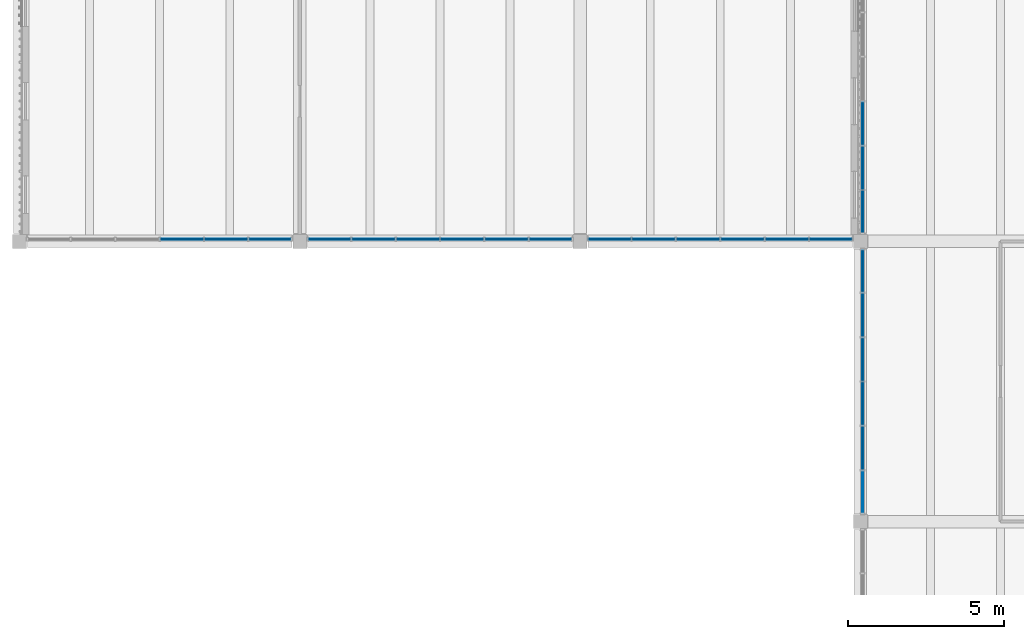
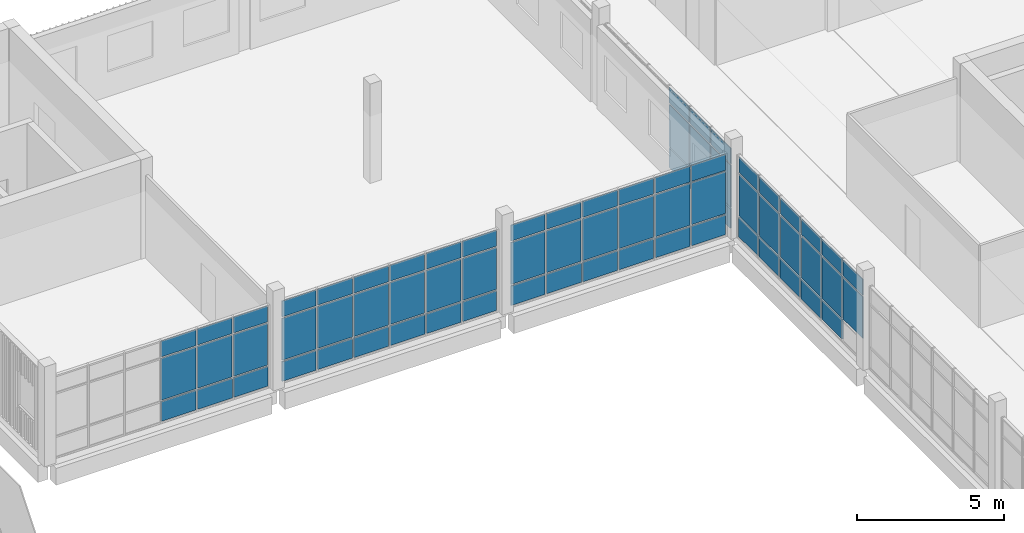
# One storey, part 45 of 88: 71 plates, 5 elements without a shape of their own.
"""IFC4 building model written with IfcOpenShell, lengths in metres."""

from ifc_helpers import new_model, si_unit, direction, frame, origin, origin_2d, place, context, subcontext, project, spatial, rectangle, extrude, material, layer, layer_set, type_object, element, aggregate, save


model = new_model("IFC4")

# Units and contexts
model_context = context("Model", 3, precision=1e-05, world=origin(), true_north=direction((0.0, 1.0)))
body_context = subcontext(model_context, "Body", "Model", "MODEL_VIEW")
ifc_project = project(units=[si_unit("LENGTHUNIT", "METRE"), si_unit("AREAUNIT", "SQUARE_METRE"), si_unit("VOLUMEUNIT", "CUBIC_METRE"), si_unit("PLANEANGLEUNIT", "RADIAN"), si_unit("MASSUNIT", "GRAM", prefix="KILO")], contexts=[model_context])

# Site, building, storey
site_placement = place(None, origin())
site = spatial("IfcSite", under=ifc_project, at=site_placement, CompositionType="ELEMENT")
building_placement = place(site_placement, origin())
building = spatial("IfcBuilding", under=site, at=building_placement, Name="Merrow Basin Faculty of Sciences", CompositionType="ELEMENT")
storey_placement = place(building_placement, frame((0.0, 0.0, 9.0)))
storey = spatial("IfcBuildingStorey", under=building, at=storey_placement, Name="L02", CompositionType="ELEMENT", Elevation=9.0)

# Curtain wall, plates
ifc_material_1 = material(Name="Aluminium alloy 6063", Category="aluminium")
curtain_wall_type = type_object("IfcCurtainWallType", Name="Court curtain wall 140", PredefinedType="NOTDEFINED", material=ifc_material_1)
curtain_wall_1_placement = place(storey_placement, origin())
curtain_wall_1 = element("IfcCurtainWall", 1, at=curtain_wall_1_placement, inside=storey, type_object=curtain_wall_type, Name="Court curtain wall L02 6", PredefinedType="NOTDEFINED")
ifc_material_2 = material(Name="Insulated aluminium spandrel panel", Category="aluminium")
ifc_layer_1 = layer(ifc_material_2, 0.052001953125)
ifc_layer_set_1 = layer_set([ifc_layer_1], Name="Insulated spandrel panel 52")
plate_type_1 = type_object("IfcPlateType", Name="Insulated spandrel panel 52", PredefinedType="CURTAIN_PANEL", material=ifc_layer_set_1)
plate_1_placement = place(storey_placement, frame((54.070068359375, 108.362548828125, 0.06005859375), z_axis=(0.0, 0.0, 1.0), x_axis=(0.0, 1.0, 0.0)))
plate_1 = element("IfcPlate", 2, at=plate_1_placement, type_object=plate_type_1, Name="CW8 panel 2.1", PredefinedType="CURTAIN_PANEL", context=body_context, shape_type="SweptSolid", body=[
    extrude(rectangle(XDim=1.364990234375, YDim=0.052001953125, at=origin_2d()), origin(), (0.0, 0.0, 1.0), 0.81005859375),
])
plate_2_placement = place(storey_placement, frame((54.070068359375, 109.78759765625, 0.06005859375), z_axis=(0.0, 0.0, 1.0), x_axis=(0.0, 1.0, 0.0)))
plate_2 = element("IfcPlate", 3, at=plate_2_placement, type_object=plate_type_1, Name="CW8 panel 3.1", PredefinedType="CURTAIN_PANEL", context=body_context, shape_type="SweptSolid", body=[
    extrude(rectangle(XDim=1.364990234375, YDim=0.052001953125, at=origin_2d()), origin(), (0.0, 0.0, 1.0), 0.81005859375),
])
plate_3_placement = place(storey_placement, frame((54.070068359375, 111.21240234375, 0.06005859375), z_axis=(0.0, 0.0, 1.0), x_axis=(0.0, 1.0, 0.0)))
plate_3 = element("IfcPlate", 4, at=plate_3_placement, type_object=plate_type_1, Name="CW8 panel 4.1", PredefinedType="CURTAIN_PANEL", context=body_context, shape_type="SweptSolid", body=[
    extrude(rectangle(XDim=1.364990234375, YDim=0.052001953125, at=origin_2d()), origin(), (0.0, 0.0, 1.0), 0.81005859375),
])
plate_4_placement = place(storey_placement, frame((54.070068359375, 112.637451171875, 0.06005859375), z_axis=(0.0, 0.0, 1.0), x_axis=(0.0, 1.0, 0.0)))
plate_4 = element("IfcPlate", 5, at=plate_4_placement, type_object=plate_type_1, Name="CW8 panel 5.1", PredefinedType="CURTAIN_PANEL", context=body_context, shape_type="SweptSolid", body=[
    extrude(rectangle(XDim=1.364990234375, YDim=0.052001953125, at=origin_2d()), origin(), (0.0, 0.0, 1.0), 0.81005859375),
])
plate_5_placement = place(storey_placement, frame((54.070068359375, 114.047607421875, 0.06005859375), z_axis=(0.0, 0.0, 1.0), x_axis=(0.0, 1.0, 0.0)))
plate_5 = element("IfcPlate", 6, at=plate_5_placement, type_object=plate_type_1, Name="CW8 panel 6.1", PredefinedType="CURTAIN_PANEL", context=body_context, shape_type="SweptSolid", body=[
    extrude(rectangle(XDim=1.3349609375, YDim=0.052001953125, at=origin_2d()), origin(), (0.0, 0.0, 1.0), 0.81005859375),
])

curtain_wall_2_placement = place(storey_placement, origin())
curtain_wall_2 = element("IfcCurtainWall", 7, at=curtain_wall_2_placement, inside=storey, type_object=curtain_wall_type, Name="Court curtain wall L02 7", PredefinedType="NOTDEFINED")
plate_6_placement = place(storey_placement, frame((54.070068359375, 115.952392578125, 0.06005859375), z_axis=(0.0, 0.0, 1.0), x_axis=(0.0, 1.0, 0.0)))
plate_6 = element("IfcPlate", 8, at=plate_6_placement, type_object=plate_type_1, Name="CW8 panel 1.1", PredefinedType="CURTAIN_PANEL", context=body_context, shape_type="SweptSolid", body=[
    extrude(rectangle(XDim=1.3349609375, YDim=0.052001953125, at=origin_2d()), origin(), (0.0, 0.0, 1.0), 0.81005859375),
])
plate_7_placement = place(storey_placement, frame((54.070068359375, 117.362548828125, 0.06005859375), z_axis=(0.0, 0.0, 1.0), x_axis=(0.0, 1.0, 0.0)))
plate_7 = element("IfcPlate", 9, at=plate_7_placement, type_object=plate_type_1, Name="CW8 panel 2.1", PredefinedType="CURTAIN_PANEL", context=body_context, shape_type="SweptSolid", body=[
    extrude(rectangle(XDim=1.364990234375, YDim=0.052001953125, at=origin_2d()), origin(), (0.0, 0.0, 1.0), 0.81005859375),
])
plate_8_placement = place(storey_placement, frame((54.070068359375, 118.78759765625, 0.06005859375), z_axis=(0.0, 0.0, 1.0), x_axis=(0.0, 1.0, 0.0)))
plate_8 = element("IfcPlate", 10, at=plate_8_placement, type_object=plate_type_1, Name="CW8 panel 3.1", PredefinedType="CURTAIN_PANEL", context=body_context, shape_type="SweptSolid", body=[
    extrude(rectangle(XDim=1.364990234375, YDim=0.052001953125, at=origin_2d()), origin(), (0.0, 0.0, 1.0), 0.81005859375),
])

curtain_wall_3_placement = place(storey_placement, origin())
curtain_wall_3 = element("IfcCurtainWall", 11, at=curtain_wall_3_placement, inside=storey, type_object=curtain_wall_type, Name="Court curtain wall L02 1", PredefinedType="NOTDEFINED")
plate_9_placement = place(storey_placement, frame((32.21240234375, 115.070068359375, 0.06005859375), z_axis=(0.0, 0.0, 1.0), x_axis=(1.0, 0.0, 0.0)))
plate_9 = element("IfcPlate", 12, at=plate_9_placement, type_object=plate_type_1, Name="CW8 panel 4.1", PredefinedType="CURTAIN_PANEL", context=body_context, shape_type="SweptSolid", body=[
    extrude(rectangle(XDim=1.364990234375, YDim=0.052001953125, at=origin_2d()), origin(), (0.0, 0.0, 1.0), 0.81005859375),
])
plate_10_placement = place(storey_placement, frame((33.637451171875, 115.070068359375, 0.06005859375), z_axis=(0.0, 0.0, 1.0), x_axis=(1.0, 0.0, 0.0)))
plate_10 = element("IfcPlate", 13, at=plate_10_placement, type_object=plate_type_1, Name="CW8 panel 5.1", PredefinedType="CURTAIN_PANEL", context=body_context, shape_type="SweptSolid", body=[
    extrude(rectangle(XDim=1.364990234375, YDim=0.052001953125, at=origin_2d()), origin(), (0.0, 0.0, 1.0), 0.81005859375),
])
plate_11_placement = place(storey_placement, frame((35.047607421875, 115.070068359375, 0.06005859375), z_axis=(0.0, 0.0, 1.0), x_axis=(1.0, 0.0, 0.0)))
plate_11 = element("IfcPlate", 14, at=plate_11_placement, type_object=plate_type_1, Name="CW8 panel 6.1", PredefinedType="CURTAIN_PANEL", context=body_context, shape_type="SweptSolid", body=[
    extrude(rectangle(XDim=1.3349609375, YDim=0.052001953125, at=origin_2d()), origin(), (0.0, 0.0, 1.0), 0.81005859375),
])

curtain_wall_4_placement = place(storey_placement, origin())
curtain_wall_4 = element("IfcCurtainWall", 15, at=curtain_wall_4_placement, inside=storey, type_object=curtain_wall_type, Name="Court curtain wall L02 2", PredefinedType="NOTDEFINED")
plate_12_placement = place(storey_placement, frame((36.952392578125, 115.070068359375, 0.06005859375), z_axis=(0.0, 0.0, 1.0), x_axis=(1.0, 0.0, 0.0)))
plate_12 = element("IfcPlate", 16, at=plate_12_placement, type_object=plate_type_1, Name="CW8 panel 1.1", PredefinedType="CURTAIN_PANEL", context=body_context, shape_type="SweptSolid", body=[
    extrude(rectangle(XDim=1.3349609375, YDim=0.052001953125, at=origin_2d()), origin(), (0.0, 0.0, 1.0), 0.81005859375),
])
plate_13_placement = place(storey_placement, frame((38.362548828125, 115.070068359375, 0.06005859375), z_axis=(0.0, 0.0, 1.0), x_axis=(1.0, 0.0, 0.0)))
plate_13 = element("IfcPlate", 17, at=plate_13_placement, type_object=plate_type_1, Name="CW8 panel 2.1", PredefinedType="CURTAIN_PANEL", context=body_context, shape_type="SweptSolid", body=[
    extrude(rectangle(XDim=1.364990234375, YDim=0.052001953125, at=origin_2d()), origin(), (0.0, 0.0, 1.0), 0.81005859375),
])
plate_14_placement = place(storey_placement, frame((39.78759765625, 115.070068359375, 0.06005859375), z_axis=(0.0, 0.0, 1.0), x_axis=(1.0, 0.0, 0.0)))
plate_14 = element("IfcPlate", 18, at=plate_14_placement, type_object=plate_type_1, Name="CW8 panel 3.1", PredefinedType="CURTAIN_PANEL", context=body_context, shape_type="SweptSolid", body=[
    extrude(rectangle(XDim=1.364990234375, YDim=0.052001953125, at=origin_2d()), origin(), (0.0, 0.0, 1.0), 0.81005859375),
])
plate_15_placement = place(storey_placement, frame((41.21240234375, 115.070068359375, 0.06005859375), z_axis=(0.0, 0.0, 1.0), x_axis=(1.0, 0.0, 0.0)))
plate_15 = element("IfcPlate", 19, at=plate_15_placement, type_object=plate_type_1, Name="CW8 panel 4.1", PredefinedType="CURTAIN_PANEL", context=body_context, shape_type="SweptSolid", body=[
    extrude(rectangle(XDim=1.364990234375, YDim=0.052001953125, at=origin_2d()), origin(), (0.0, 0.0, 1.0), 0.81005859375),
])
plate_16_placement = place(storey_placement, frame((42.637451171875, 115.070068359375, 0.06005859375), z_axis=(0.0, 0.0, 1.0), x_axis=(1.0, 0.0, 0.0)))
plate_16 = element("IfcPlate", 20, at=plate_16_placement, type_object=plate_type_1, Name="CW8 panel 5.1", PredefinedType="CURTAIN_PANEL", context=body_context, shape_type="SweptSolid", body=[
    extrude(rectangle(XDim=1.364990234375, YDim=0.052001953125, at=origin_2d()), origin(), (0.0, 0.0, 1.0), 0.81005859375),
])
plate_17_placement = place(storey_placement, frame((44.047607421875, 115.070068359375, 0.06005859375), z_axis=(0.0, 0.0, 1.0), x_axis=(1.0, 0.0, 0.0)))
plate_17 = element("IfcPlate", 21, at=plate_17_placement, type_object=plate_type_1, Name="CW8 panel 6.1", PredefinedType="CURTAIN_PANEL", context=body_context, shape_type="SweptSolid", body=[
    extrude(rectangle(XDim=1.3349609375, YDim=0.052001953125, at=origin_2d()), origin(), (0.0, 0.0, 1.0), 0.81005859375),
])

curtain_wall_5_placement = place(storey_placement, origin())
curtain_wall_5 = element("IfcCurtainWall", 22, at=curtain_wall_5_placement, inside=storey, type_object=curtain_wall_type, Name="Court curtain wall L02 3", PredefinedType="NOTDEFINED")
plate_18_placement = place(storey_placement, frame((45.952392578125, 115.070068359375, 0.06005859375), z_axis=(0.0, 0.0, 1.0), x_axis=(1.0, 0.0, 0.0)))
plate_18 = element("IfcPlate", 23, at=plate_18_placement, type_object=plate_type_1, Name="CW8 panel 1.1", PredefinedType="CURTAIN_PANEL", context=body_context, shape_type="SweptSolid", body=[
    extrude(rectangle(XDim=1.3349609375, YDim=0.052001953125, at=origin_2d()), origin(), (0.0, 0.0, 1.0), 0.81005859375),
])
plate_19_placement = place(storey_placement, frame((47.362548828125, 115.070068359375, 0.06005859375), z_axis=(0.0, 0.0, 1.0), x_axis=(1.0, 0.0, 0.0)))
plate_19 = element("IfcPlate", 24, at=plate_19_placement, type_object=plate_type_1, Name="CW8 panel 2.1", PredefinedType="CURTAIN_PANEL", context=body_context, shape_type="SweptSolid", body=[
    extrude(rectangle(XDim=1.364990234375, YDim=0.052001953125, at=origin_2d()), origin(), (0.0, 0.0, 1.0), 0.81005859375),
])
plate_20_placement = place(storey_placement, frame((48.78759765625, 115.070068359375, 0.06005859375), z_axis=(0.0, 0.0, 1.0), x_axis=(1.0, 0.0, 0.0)))
plate_20 = element("IfcPlate", 25, at=plate_20_placement, type_object=plate_type_1, Name="CW8 panel 3.1", PredefinedType="CURTAIN_PANEL", context=body_context, shape_type="SweptSolid", body=[
    extrude(rectangle(XDim=1.364990234375, YDim=0.052001953125, at=origin_2d()), origin(), (0.0, 0.0, 1.0), 0.81005859375),
])
plate_21_placement = place(storey_placement, frame((50.21240234375, 115.070068359375, 0.06005859375), z_axis=(0.0, 0.0, 1.0), x_axis=(1.0, 0.0, 0.0)))
plate_21 = element("IfcPlate", 26, at=plate_21_placement, type_object=plate_type_1, Name="CW8 panel 4.1", PredefinedType="CURTAIN_PANEL", context=body_context, shape_type="SweptSolid", body=[
    extrude(rectangle(XDim=1.364990234375, YDim=0.052001953125, at=origin_2d()), origin(), (0.0, 0.0, 1.0), 0.81005859375),
])
plate_22_placement = place(storey_placement, frame((51.637451171875, 115.070068359375, 0.06005859375), z_axis=(0.0, 0.0, 1.0), x_axis=(1.0, 0.0, 0.0)))
plate_22 = element("IfcPlate", 27, at=plate_22_placement, type_object=plate_type_1, Name="CW8 panel 5.1", PredefinedType="CURTAIN_PANEL", context=body_context, shape_type="SweptSolid", body=[
    extrude(rectangle(XDim=1.364990234375, YDim=0.052001953125, at=origin_2d()), origin(), (0.0, 0.0, 1.0), 0.81005859375),
])
plate_23_placement = place(storey_placement, frame((53.047607421875, 115.070068359375, 0.06005859375), z_axis=(0.0, 0.0, 1.0), x_axis=(1.0, 0.0, 0.0)))
plate_23 = element("IfcPlate", 28, at=plate_23_placement, type_object=plate_type_1, Name="CW8 panel 6.1", PredefinedType="CURTAIN_PANEL", context=body_context, shape_type="SweptSolid", body=[
    extrude(rectangle(XDim=1.3349609375, YDim=0.052001953125, at=origin_2d()), origin(), (0.0, 0.0, 1.0), 0.81005859375),
])

# Plate
ifc_material_3 = material(Name="Low-E double glazing", Category="glass")
ifc_layer_2 = layer(ifc_material_3, 0.028076171875)
ifc_layer_set_2 = layer_set([ifc_layer_2], Name="Low-E double glazed panel 28")
plate_type_2 = type_object("IfcPlateType", Name="Low-E double glazed panel 28", PredefinedType="CURTAIN_PANEL", material=ifc_layer_set_2)
plate_24_placement = place(storey_placement, frame((54.070068359375, 106.952392578125, 0.93017578125), z_axis=(0.0, 0.0, 1.0), x_axis=(0.0, 1.0, 0.0)))
plate_24 = element("IfcPlate", 29, at=plate_24_placement, type_object=plate_type_2, Name="CW8 panel 1.2", PredefinedType="CURTAIN_PANEL", context=body_context, shape_type="SweptSolid", body=[
    extrude(rectangle(XDim=1.3349609375, YDim=0.028076171875, at=origin_2d()), origin(), (0.0, 0.0, 1.0), 1.739990234375),
])

plate_25_placement = place(storey_placement, frame((54.070068359375, 106.952392578125, 2.72998046875), z_axis=(0.0, 0.0, 1.0), x_axis=(0.0, 1.0, 0.0)))
plate_25 = element("IfcPlate", 30, at=plate_25_placement, type_object=plate_type_2, Name="CW8 panel 1.3", PredefinedType="CURTAIN_PANEL", context=body_context, shape_type="SweptSolid", body=[
    extrude(rectangle(XDim=1.3349609375, YDim=0.028076171875, at=origin_2d()), origin(), (0.0, 0.0, 1.0), 0.659912109375),
])

plate_26_placement = place(storey_placement, frame((54.070068359375, 108.362548828125, 0.93017578125), z_axis=(0.0, 0.0, 1.0), x_axis=(0.0, 1.0, 0.0)))
plate_26 = element("IfcPlate", 31, at=plate_26_placement, type_object=plate_type_2, Name="CW8 panel 2.2", PredefinedType="CURTAIN_PANEL", context=body_context, shape_type="SweptSolid", body=[
    extrude(rectangle(XDim=1.364990234375, YDim=0.028076171875, at=origin_2d()), origin(), (0.0, 0.0, 1.0), 1.739990234375),
])

plate_27_placement = place(storey_placement, frame((54.070068359375, 108.362548828125, 2.72998046875), z_axis=(0.0, 0.0, 1.0), x_axis=(0.0, 1.0, 0.0)))
plate_27 = element("IfcPlate", 32, at=plate_27_placement, type_object=plate_type_2, Name="CW8 panel 2.3", PredefinedType="CURTAIN_PANEL", context=body_context, shape_type="SweptSolid", body=[
    extrude(rectangle(XDim=1.364990234375, YDim=0.028076171875, at=origin_2d()), origin(), (0.0, 0.0, 1.0), 0.659912109375),
])

plate_28_placement = place(storey_placement, frame((54.070068359375, 109.78759765625, 0.93017578125), z_axis=(0.0, 0.0, 1.0), x_axis=(0.0, 1.0, 0.0)))
plate_28 = element("IfcPlate", 33, at=plate_28_placement, type_object=plate_type_2, Name="CW8 panel 3.2", PredefinedType="CURTAIN_PANEL", context=body_context, shape_type="SweptSolid", body=[
    extrude(rectangle(XDim=1.364990234375, YDim=0.028076171875, at=origin_2d()), origin(), (0.0, 0.0, 1.0), 1.739990234375),
])

plate_29_placement = place(storey_placement, frame((54.070068359375, 109.78759765625, 2.72998046875), z_axis=(0.0, 0.0, 1.0), x_axis=(0.0, 1.0, 0.0)))
plate_29 = element("IfcPlate", 34, at=plate_29_placement, type_object=plate_type_2, Name="CW8 panel 3.3", PredefinedType="CURTAIN_PANEL", context=body_context, shape_type="SweptSolid", body=[
    extrude(rectangle(XDim=1.364990234375, YDim=0.028076171875, at=origin_2d()), origin(), (0.0, 0.0, 1.0), 0.659912109375),
])

plate_30_placement = place(storey_placement, frame((54.070068359375, 111.21240234375, 0.93017578125), z_axis=(0.0, 0.0, 1.0), x_axis=(0.0, 1.0, 0.0)))
plate_30 = element("IfcPlate", 35, at=plate_30_placement, type_object=plate_type_2, Name="CW8 panel 4.2", PredefinedType="CURTAIN_PANEL", context=body_context, shape_type="SweptSolid", body=[
    extrude(rectangle(XDim=1.364990234375, YDim=0.028076171875, at=origin_2d()), origin(), (0.0, 0.0, 1.0), 1.739990234375),
])

plate_31_placement = place(storey_placement, frame((54.070068359375, 111.21240234375, 2.72998046875), z_axis=(0.0, 0.0, 1.0), x_axis=(0.0, 1.0, 0.0)))
plate_31 = element("IfcPlate", 36, at=plate_31_placement, type_object=plate_type_2, Name="CW8 panel 4.3", PredefinedType="CURTAIN_PANEL", context=body_context, shape_type="SweptSolid", body=[
    extrude(rectangle(XDim=1.364990234375, YDim=0.028076171875, at=origin_2d()), origin(), (0.0, 0.0, 1.0), 0.659912109375),
])

plate_32_placement = place(storey_placement, frame((54.070068359375, 112.637451171875, 0.93017578125), z_axis=(0.0, 0.0, 1.0), x_axis=(0.0, 1.0, 0.0)))
plate_32 = element("IfcPlate", 37, at=plate_32_placement, type_object=plate_type_2, Name="CW8 panel 5.2", PredefinedType="CURTAIN_PANEL", context=body_context, shape_type="SweptSolid", body=[
    extrude(rectangle(XDim=1.364990234375, YDim=0.028076171875, at=origin_2d()), origin(), (0.0, 0.0, 1.0), 1.739990234375),
])

plate_33_placement = place(storey_placement, frame((54.070068359375, 112.637451171875, 2.72998046875), z_axis=(0.0, 0.0, 1.0), x_axis=(0.0, 1.0, 0.0)))
plate_33 = element("IfcPlate", 38, at=plate_33_placement, type_object=plate_type_2, Name="CW8 panel 5.3", PredefinedType="CURTAIN_PANEL", context=body_context, shape_type="SweptSolid", body=[
    extrude(rectangle(XDim=1.364990234375, YDim=0.028076171875, at=origin_2d()), origin(), (0.0, 0.0, 1.0), 0.659912109375),
])

plate_34_placement = place(storey_placement, frame((54.070068359375, 114.047607421875, 0.93017578125), z_axis=(0.0, 0.0, 1.0), x_axis=(0.0, 1.0, 0.0)))
plate_34 = element("IfcPlate", 39, at=plate_34_placement, type_object=plate_type_2, Name="CW8 panel 6.2", PredefinedType="CURTAIN_PANEL", context=body_context, shape_type="SweptSolid", body=[
    extrude(rectangle(XDim=1.3349609375, YDim=0.028076171875, at=origin_2d()), origin(), (0.0, 0.0, 1.0), 1.739990234375),
])

plate_35_placement = place(storey_placement, frame((54.070068359375, 114.047607421875, 2.72998046875), z_axis=(0.0, 0.0, 1.0), x_axis=(0.0, 1.0, 0.0)))
plate_35 = element("IfcPlate", 40, at=plate_35_placement, type_object=plate_type_2, Name="CW8 panel 6.3", PredefinedType="CURTAIN_PANEL", context=body_context, shape_type="SweptSolid", body=[
    extrude(rectangle(XDim=1.3349609375, YDim=0.028076171875, at=origin_2d()), origin(), (0.0, 0.0, 1.0), 0.659912109375),
])

aggregate(curtain_wall_1, [plate_24, plate_25, plate_1, plate_26, plate_27, plate_2, plate_28, plate_29, plate_3, plate_30, plate_31, plate_4, plate_32, plate_33, plate_5, plate_34, plate_35])

plate_36_placement = place(storey_placement, frame((54.070068359375, 115.952392578125, 0.93017578125), z_axis=(0.0, 0.0, 1.0), x_axis=(0.0, 1.0, 0.0)))
plate_36 = element("IfcPlate", 41, at=plate_36_placement, type_object=plate_type_2, Name="CW8 panel 1.2", PredefinedType="CURTAIN_PANEL", context=body_context, shape_type="SweptSolid", body=[
    extrude(rectangle(XDim=1.3349609375, YDim=0.028076171875, at=origin_2d()), origin(), (0.0, 0.0, 1.0), 1.739990234375),
])

plate_37_placement = place(storey_placement, frame((54.070068359375, 115.952392578125, 2.72998046875), z_axis=(0.0, 0.0, 1.0), x_axis=(0.0, 1.0, 0.0)))
plate_37 = element("IfcPlate", 42, at=plate_37_placement, type_object=plate_type_2, Name="CW8 panel 1.3", PredefinedType="CURTAIN_PANEL", context=body_context, shape_type="SweptSolid", body=[
    extrude(rectangle(XDim=1.3349609375, YDim=0.028076171875, at=origin_2d()), origin(), (0.0, 0.0, 1.0), 0.659912109375),
])

plate_38_placement = place(storey_placement, frame((54.070068359375, 117.362548828125, 0.93017578125), z_axis=(0.0, 0.0, 1.0), x_axis=(0.0, 1.0, 0.0)))
plate_38 = element("IfcPlate", 43, at=plate_38_placement, type_object=plate_type_2, Name="CW8 panel 2.2", PredefinedType="CURTAIN_PANEL", context=body_context, shape_type="SweptSolid", body=[
    extrude(rectangle(XDim=1.364990234375, YDim=0.028076171875, at=origin_2d()), origin(), (0.0, 0.0, 1.0), 1.739990234375),
])

plate_39_placement = place(storey_placement, frame((54.070068359375, 117.362548828125, 2.72998046875), z_axis=(0.0, 0.0, 1.0), x_axis=(0.0, 1.0, 0.0)))
plate_39 = element("IfcPlate", 44, at=plate_39_placement, type_object=plate_type_2, Name="CW8 panel 2.3", PredefinedType="CURTAIN_PANEL", context=body_context, shape_type="SweptSolid", body=[
    extrude(rectangle(XDim=1.364990234375, YDim=0.028076171875, at=origin_2d()), origin(), (0.0, 0.0, 1.0), 0.659912109375),
])

plate_40_placement = place(storey_placement, frame((54.070068359375, 118.78759765625, 0.93017578125), z_axis=(0.0, 0.0, 1.0), x_axis=(0.0, 1.0, 0.0)))
plate_40 = element("IfcPlate", 45, at=plate_40_placement, type_object=plate_type_2, Name="CW8 panel 3.2", PredefinedType="CURTAIN_PANEL", context=body_context, shape_type="SweptSolid", body=[
    extrude(rectangle(XDim=1.364990234375, YDim=0.028076171875, at=origin_2d()), origin(), (0.0, 0.0, 1.0), 1.739990234375),
])

plate_41_placement = place(storey_placement, frame((54.070068359375, 118.78759765625, 2.72998046875), z_axis=(0.0, 0.0, 1.0), x_axis=(0.0, 1.0, 0.0)))
plate_41 = element("IfcPlate", 46, at=plate_41_placement, type_object=plate_type_2, Name="CW8 panel 3.3", PredefinedType="CURTAIN_PANEL", context=body_context, shape_type="SweptSolid", body=[
    extrude(rectangle(XDim=1.364990234375, YDim=0.028076171875, at=origin_2d()), origin(), (0.0, 0.0, 1.0), 0.659912109375),
])

aggregate(curtain_wall_2, [plate_6, plate_36, plate_37, plate_7, plate_38, plate_39, plate_8, plate_40, plate_41])

plate_42_placement = place(storey_placement, frame((32.21240234375, 115.070068359375, 0.93017578125), z_axis=(0.0, 0.0, 1.0), x_axis=(1.0, 0.0, 0.0)))
plate_42 = element("IfcPlate", 47, at=plate_42_placement, type_object=plate_type_2, Name="CW8 panel 4.2", PredefinedType="CURTAIN_PANEL", context=body_context, shape_type="SweptSolid", body=[
    extrude(rectangle(XDim=1.364990234375, YDim=0.028076171875, at=origin_2d()), origin(), (0.0, 0.0, 1.0), 1.739990234375),
])

plate_43_placement = place(storey_placement, frame((32.21240234375, 115.070068359375, 2.72998046875), z_axis=(0.0, 0.0, 1.0), x_axis=(1.0, 0.0, 0.0)))
plate_43 = element("IfcPlate", 48, at=plate_43_placement, type_object=plate_type_2, Name="CW8 panel 4.3", PredefinedType="CURTAIN_PANEL", context=body_context, shape_type="SweptSolid", body=[
    extrude(rectangle(XDim=1.364990234375, YDim=0.028076171875, at=origin_2d()), origin(), (0.0, 0.0, 1.0), 0.659912109375),
])

plate_44_placement = place(storey_placement, frame((33.637451171875, 115.070068359375, 0.93017578125), z_axis=(0.0, 0.0, 1.0), x_axis=(1.0, 0.0, 0.0)))
plate_44 = element("IfcPlate", 49, at=plate_44_placement, type_object=plate_type_2, Name="CW8 panel 5.2", PredefinedType="CURTAIN_PANEL", context=body_context, shape_type="SweptSolid", body=[
    extrude(rectangle(XDim=1.364990234375, YDim=0.028076171875, at=origin_2d()), origin(), (0.0, 0.0, 1.0), 1.739990234375),
])

plate_45_placement = place(storey_placement, frame((33.637451171875, 115.070068359375, 2.72998046875), z_axis=(0.0, 0.0, 1.0), x_axis=(1.0, 0.0, 0.0)))
plate_45 = element("IfcPlate", 50, at=plate_45_placement, type_object=plate_type_2, Name="CW8 panel 5.3", PredefinedType="CURTAIN_PANEL", context=body_context, shape_type="SweptSolid", body=[
    extrude(rectangle(XDim=1.364990234375, YDim=0.028076171875, at=origin_2d()), origin(), (0.0, 0.0, 1.0), 0.659912109375),
])

plate_46_placement = place(storey_placement, frame((35.047607421875, 115.070068359375, 0.93017578125), z_axis=(0.0, 0.0, 1.0), x_axis=(1.0, 0.0, 0.0)))
plate_46 = element("IfcPlate", 51, at=plate_46_placement, type_object=plate_type_2, Name="CW8 panel 6.2", PredefinedType="CURTAIN_PANEL", context=body_context, shape_type="SweptSolid", body=[
    extrude(rectangle(XDim=1.3349609375, YDim=0.028076171875, at=origin_2d()), origin(), (0.0, 0.0, 1.0), 1.739990234375),
])

plate_47_placement = place(storey_placement, frame((35.047607421875, 115.070068359375, 2.72998046875), z_axis=(0.0, 0.0, 1.0), x_axis=(1.0, 0.0, 0.0)))
plate_47 = element("IfcPlate", 52, at=plate_47_placement, type_object=plate_type_2, Name="CW8 panel 6.3", PredefinedType="CURTAIN_PANEL", context=body_context, shape_type="SweptSolid", body=[
    extrude(rectangle(XDim=1.3349609375, YDim=0.028076171875, at=origin_2d()), origin(), (0.0, 0.0, 1.0), 0.659912109375),
])

aggregate(curtain_wall_3, [plate_9, plate_42, plate_43, plate_10, plate_44, plate_45, plate_11, plate_46, plate_47])

plate_48_placement = place(storey_placement, frame((36.952392578125, 115.070068359375, 0.93017578125), z_axis=(0.0, 0.0, 1.0), x_axis=(1.0, 0.0, 0.0)))
plate_48 = element("IfcPlate", 53, at=plate_48_placement, type_object=plate_type_2, Name="CW8 panel 1.2", PredefinedType="CURTAIN_PANEL", context=body_context, shape_type="SweptSolid", body=[
    extrude(rectangle(XDim=1.3349609375, YDim=0.028076171875, at=origin_2d()), origin(), (0.0, 0.0, 1.0), 1.739990234375),
])

plate_49_placement = place(storey_placement, frame((36.952392578125, 115.070068359375, 2.72998046875), z_axis=(0.0, 0.0, 1.0), x_axis=(1.0, 0.0, 0.0)))
plate_49 = element("IfcPlate", 54, at=plate_49_placement, type_object=plate_type_2, Name="CW8 panel 1.3", PredefinedType="CURTAIN_PANEL", context=body_context, shape_type="SweptSolid", body=[
    extrude(rectangle(XDim=1.3349609375, YDim=0.028076171875, at=origin_2d()), origin(), (0.0, 0.0, 1.0), 0.659912109375),
])

plate_50_placement = place(storey_placement, frame((38.362548828125, 115.070068359375, 0.93017578125), z_axis=(0.0, 0.0, 1.0), x_axis=(1.0, 0.0, 0.0)))
plate_50 = element("IfcPlate", 55, at=plate_50_placement, type_object=plate_type_2, Name="CW8 panel 2.2", PredefinedType="CURTAIN_PANEL", context=body_context, shape_type="SweptSolid", body=[
    extrude(rectangle(XDim=1.364990234375, YDim=0.028076171875, at=origin_2d()), origin(), (0.0, 0.0, 1.0), 1.739990234375),
])

plate_51_placement = place(storey_placement, frame((38.362548828125, 115.070068359375, 2.72998046875), z_axis=(0.0, 0.0, 1.0), x_axis=(1.0, 0.0, 0.0)))
plate_51 = element("IfcPlate", 56, at=plate_51_placement, type_object=plate_type_2, Name="CW8 panel 2.3", PredefinedType="CURTAIN_PANEL", context=body_context, shape_type="SweptSolid", body=[
    extrude(rectangle(XDim=1.364990234375, YDim=0.028076171875, at=origin_2d()), origin(), (0.0, 0.0, 1.0), 0.659912109375),
])

plate_52_placement = place(storey_placement, frame((39.78759765625, 115.070068359375, 0.93017578125), z_axis=(0.0, 0.0, 1.0), x_axis=(1.0, 0.0, 0.0)))
plate_52 = element("IfcPlate", 57, at=plate_52_placement, type_object=plate_type_2, Name="CW8 panel 3.2", PredefinedType="CURTAIN_PANEL", context=body_context, shape_type="SweptSolid", body=[
    extrude(rectangle(XDim=1.364990234375, YDim=0.028076171875, at=origin_2d()), origin(), (0.0, 0.0, 1.0), 1.739990234375),
])

plate_53_placement = place(storey_placement, frame((39.78759765625, 115.070068359375, 2.72998046875), z_axis=(0.0, 0.0, 1.0), x_axis=(1.0, 0.0, 0.0)))
plate_53 = element("IfcPlate", 58, at=plate_53_placement, type_object=plate_type_2, Name="CW8 panel 3.3", PredefinedType="CURTAIN_PANEL", context=body_context, shape_type="SweptSolid", body=[
    extrude(rectangle(XDim=1.364990234375, YDim=0.028076171875, at=origin_2d()), origin(), (0.0, 0.0, 1.0), 0.659912109375),
])

plate_54_placement = place(storey_placement, frame((41.21240234375, 115.070068359375, 0.93017578125), z_axis=(0.0, 0.0, 1.0), x_axis=(1.0, 0.0, 0.0)))
plate_54 = element("IfcPlate", 59, at=plate_54_placement, type_object=plate_type_2, Name="CW8 panel 4.2", PredefinedType="CURTAIN_PANEL", context=body_context, shape_type="SweptSolid", body=[
    extrude(rectangle(XDim=1.364990234375, YDim=0.028076171875, at=origin_2d()), origin(), (0.0, 0.0, 1.0), 1.739990234375),
])

plate_55_placement = place(storey_placement, frame((41.21240234375, 115.070068359375, 2.72998046875), z_axis=(0.0, 0.0, 1.0), x_axis=(1.0, 0.0, 0.0)))
plate_55 = element("IfcPlate", 60, at=plate_55_placement, type_object=plate_type_2, Name="CW8 panel 4.3", PredefinedType="CURTAIN_PANEL", context=body_context, shape_type="SweptSolid", body=[
    extrude(rectangle(XDim=1.364990234375, YDim=0.028076171875, at=origin_2d()), origin(), (0.0, 0.0, 1.0), 0.659912109375),
])

plate_56_placement = place(storey_placement, frame((42.637451171875, 115.070068359375, 0.93017578125), z_axis=(0.0, 0.0, 1.0), x_axis=(1.0, 0.0, 0.0)))
plate_56 = element("IfcPlate", 61, at=plate_56_placement, type_object=plate_type_2, Name="CW8 panel 5.2", PredefinedType="CURTAIN_PANEL", context=body_context, shape_type="SweptSolid", body=[
    extrude(rectangle(XDim=1.364990234375, YDim=0.028076171875, at=origin_2d()), origin(), (0.0, 0.0, 1.0), 1.739990234375),
])

plate_57_placement = place(storey_placement, frame((42.637451171875, 115.070068359375, 2.72998046875), z_axis=(0.0, 0.0, 1.0), x_axis=(1.0, 0.0, 0.0)))
plate_57 = element("IfcPlate", 62, at=plate_57_placement, type_object=plate_type_2, Name="CW8 panel 5.3", PredefinedType="CURTAIN_PANEL", context=body_context, shape_type="SweptSolid", body=[
    extrude(rectangle(XDim=1.364990234375, YDim=0.028076171875, at=origin_2d()), origin(), (0.0, 0.0, 1.0), 0.659912109375),
])

plate_58_placement = place(storey_placement, frame((44.047607421875, 115.070068359375, 0.93017578125), z_axis=(0.0, 0.0, 1.0), x_axis=(1.0, 0.0, 0.0)))
plate_58 = element("IfcPlate", 63, at=plate_58_placement, type_object=plate_type_2, Name="CW8 panel 6.2", PredefinedType="CURTAIN_PANEL", context=body_context, shape_type="SweptSolid", body=[
    extrude(rectangle(XDim=1.3349609375, YDim=0.028076171875, at=origin_2d()), origin(), (0.0, 0.0, 1.0), 1.739990234375),
])

plate_59_placement = place(storey_placement, frame((44.047607421875, 115.070068359375, 2.72998046875), z_axis=(0.0, 0.0, 1.0), x_axis=(1.0, 0.0, 0.0)))
plate_59 = element("IfcPlate", 64, at=plate_59_placement, type_object=plate_type_2, Name="CW8 panel 6.3", PredefinedType="CURTAIN_PANEL", context=body_context, shape_type="SweptSolid", body=[
    extrude(rectangle(XDim=1.3349609375, YDim=0.028076171875, at=origin_2d()), origin(), (0.0, 0.0, 1.0), 0.659912109375),
])

aggregate(curtain_wall_4, [plate_12, plate_48, plate_49, plate_13, plate_50, plate_51, plate_14, plate_52, plate_53, plate_15, plate_54, plate_55, plate_16, plate_56, plate_57, plate_17, plate_58, plate_59])

plate_60_placement = place(storey_placement, frame((45.952392578125, 115.070068359375, 0.93017578125), z_axis=(0.0, 0.0, 1.0), x_axis=(1.0, 0.0, 0.0)))
plate_60 = element("IfcPlate", 65, at=plate_60_placement, type_object=plate_type_2, Name="CW8 panel 1.2", PredefinedType="CURTAIN_PANEL", context=body_context, shape_type="SweptSolid", body=[
    extrude(rectangle(XDim=1.3349609375, YDim=0.028076171875, at=origin_2d()), origin(), (0.0, 0.0, 1.0), 1.739990234375),
])

plate_61_placement = place(storey_placement, frame((45.952392578125, 115.070068359375, 2.72998046875), z_axis=(0.0, 0.0, 1.0), x_axis=(1.0, 0.0, 0.0)))
plate_61 = element("IfcPlate", 66, at=plate_61_placement, type_object=plate_type_2, Name="CW8 panel 1.3", PredefinedType="CURTAIN_PANEL", context=body_context, shape_type="SweptSolid", body=[
    extrude(rectangle(XDim=1.3349609375, YDim=0.028076171875, at=origin_2d()), origin(), (0.0, 0.0, 1.0), 0.659912109375),
])

plate_62_placement = place(storey_placement, frame((47.362548828125, 115.070068359375, 0.93017578125), z_axis=(0.0, 0.0, 1.0), x_axis=(1.0, 0.0, 0.0)))
plate_62 = element("IfcPlate", 67, at=plate_62_placement, type_object=plate_type_2, Name="CW8 panel 2.2", PredefinedType="CURTAIN_PANEL", context=body_context, shape_type="SweptSolid", body=[
    extrude(rectangle(XDim=1.364990234375, YDim=0.028076171875, at=origin_2d()), origin(), (0.0, 0.0, 1.0), 1.739990234375),
])

plate_63_placement = place(storey_placement, frame((47.362548828125, 115.070068359375, 2.72998046875), z_axis=(0.0, 0.0, 1.0), x_axis=(1.0, 0.0, 0.0)))
plate_63 = element("IfcPlate", 68, at=plate_63_placement, type_object=plate_type_2, Name="CW8 panel 2.3", PredefinedType="CURTAIN_PANEL", context=body_context, shape_type="SweptSolid", body=[
    extrude(rectangle(XDim=1.364990234375, YDim=0.028076171875, at=origin_2d()), origin(), (0.0, 0.0, 1.0), 0.659912109375),
])

plate_64_placement = place(storey_placement, frame((48.78759765625, 115.070068359375, 0.93017578125), z_axis=(0.0, 0.0, 1.0), x_axis=(1.0, 0.0, 0.0)))
plate_64 = element("IfcPlate", 69, at=plate_64_placement, type_object=plate_type_2, Name="CW8 panel 3.2", PredefinedType="CURTAIN_PANEL", context=body_context, shape_type="SweptSolid", body=[
    extrude(rectangle(XDim=1.364990234375, YDim=0.028076171875, at=origin_2d()), origin(), (0.0, 0.0, 1.0), 1.739990234375),
])

plate_65_placement = place(storey_placement, frame((48.78759765625, 115.070068359375, 2.72998046875), z_axis=(0.0, 0.0, 1.0), x_axis=(1.0, 0.0, 0.0)))
plate_65 = element("IfcPlate", 70, at=plate_65_placement, type_object=plate_type_2, Name="CW8 panel 3.3", PredefinedType="CURTAIN_PANEL", context=body_context, shape_type="SweptSolid", body=[
    extrude(rectangle(XDim=1.364990234375, YDim=0.028076171875, at=origin_2d()), origin(), (0.0, 0.0, 1.0), 0.659912109375),
])

plate_66_placement = place(storey_placement, frame((50.21240234375, 115.070068359375, 0.93017578125), z_axis=(0.0, 0.0, 1.0), x_axis=(1.0, 0.0, 0.0)))
plate_66 = element("IfcPlate", 71, at=plate_66_placement, type_object=plate_type_2, Name="CW8 panel 4.2", PredefinedType="CURTAIN_PANEL", context=body_context, shape_type="SweptSolid", body=[
    extrude(rectangle(XDim=1.364990234375, YDim=0.028076171875, at=origin_2d()), origin(), (0.0, 0.0, 1.0), 1.739990234375),
])

plate_67_placement = place(storey_placement, frame((50.21240234375, 115.070068359375, 2.72998046875), z_axis=(0.0, 0.0, 1.0), x_axis=(1.0, 0.0, 0.0)))
plate_67 = element("IfcPlate", 72, at=plate_67_placement, type_object=plate_type_2, Name="CW8 panel 4.3", PredefinedType="CURTAIN_PANEL", context=body_context, shape_type="SweptSolid", body=[
    extrude(rectangle(XDim=1.364990234375, YDim=0.028076171875, at=origin_2d()), origin(), (0.0, 0.0, 1.0), 0.659912109375),
])

plate_68_placement = place(storey_placement, frame((51.637451171875, 115.070068359375, 0.93017578125), z_axis=(0.0, 0.0, 1.0), x_axis=(1.0, 0.0, 0.0)))
plate_68 = element("IfcPlate", 73, at=plate_68_placement, type_object=plate_type_2, Name="CW8 panel 5.2", PredefinedType="CURTAIN_PANEL", context=body_context, shape_type="SweptSolid", body=[
    extrude(rectangle(XDim=1.364990234375, YDim=0.028076171875, at=origin_2d()), origin(), (0.0, 0.0, 1.0), 1.739990234375),
])

plate_69_placement = place(storey_placement, frame((51.637451171875, 115.070068359375, 2.72998046875), z_axis=(0.0, 0.0, 1.0), x_axis=(1.0, 0.0, 0.0)))
plate_69 = element("IfcPlate", 74, at=plate_69_placement, type_object=plate_type_2, Name="CW8 panel 5.3", PredefinedType="CURTAIN_PANEL", context=body_context, shape_type="SweptSolid", body=[
    extrude(rectangle(XDim=1.364990234375, YDim=0.028076171875, at=origin_2d()), origin(), (0.0, 0.0, 1.0), 0.659912109375),
])

plate_70_placement = place(storey_placement, frame((53.047607421875, 115.070068359375, 0.93017578125), z_axis=(0.0, 0.0, 1.0), x_axis=(1.0, 0.0, 0.0)))
plate_70 = element("IfcPlate", 75, at=plate_70_placement, type_object=plate_type_2, Name="CW8 panel 6.2", PredefinedType="CURTAIN_PANEL", context=body_context, shape_type="SweptSolid", body=[
    extrude(rectangle(XDim=1.3349609375, YDim=0.028076171875, at=origin_2d()), origin(), (0.0, 0.0, 1.0), 1.739990234375),
])

plate_71_placement = place(storey_placement, frame((53.047607421875, 115.070068359375, 2.72998046875), z_axis=(0.0, 0.0, 1.0), x_axis=(1.0, 0.0, 0.0)))
plate_71 = element("IfcPlate", 76, at=plate_71_placement, type_object=plate_type_2, Name="CW8 panel 6.3", PredefinedType="CURTAIN_PANEL", context=body_context, shape_type="SweptSolid", body=[
    extrude(rectangle(XDim=1.3349609375, YDim=0.028076171875, at=origin_2d()), origin(), (0.0, 0.0, 1.0), 0.659912109375),
])

aggregate(curtain_wall_5, [plate_18, plate_60, plate_61, plate_19, plate_62, plate_63, plate_20, plate_64, plate_65, plate_21, plate_66, plate_67, plate_22, plate_68, plate_69, plate_23, plate_70, plate_71])

save(model, "model.ifc")
